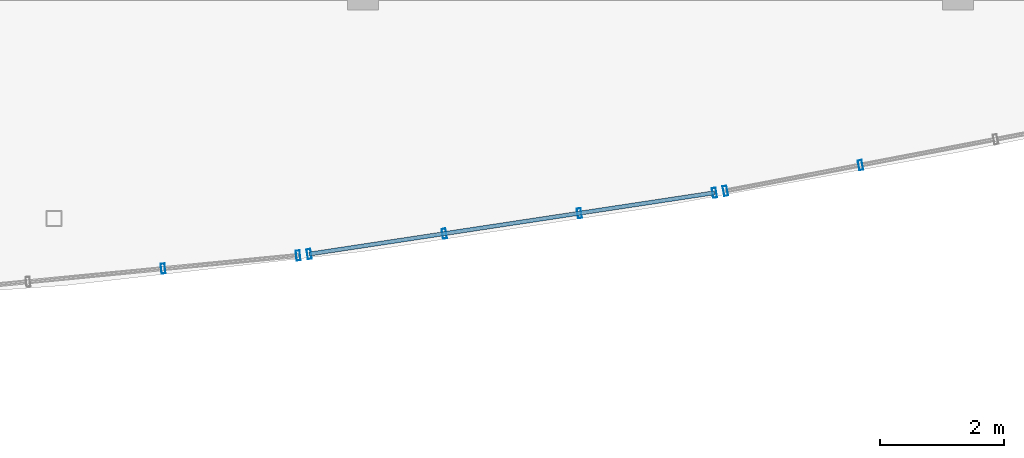
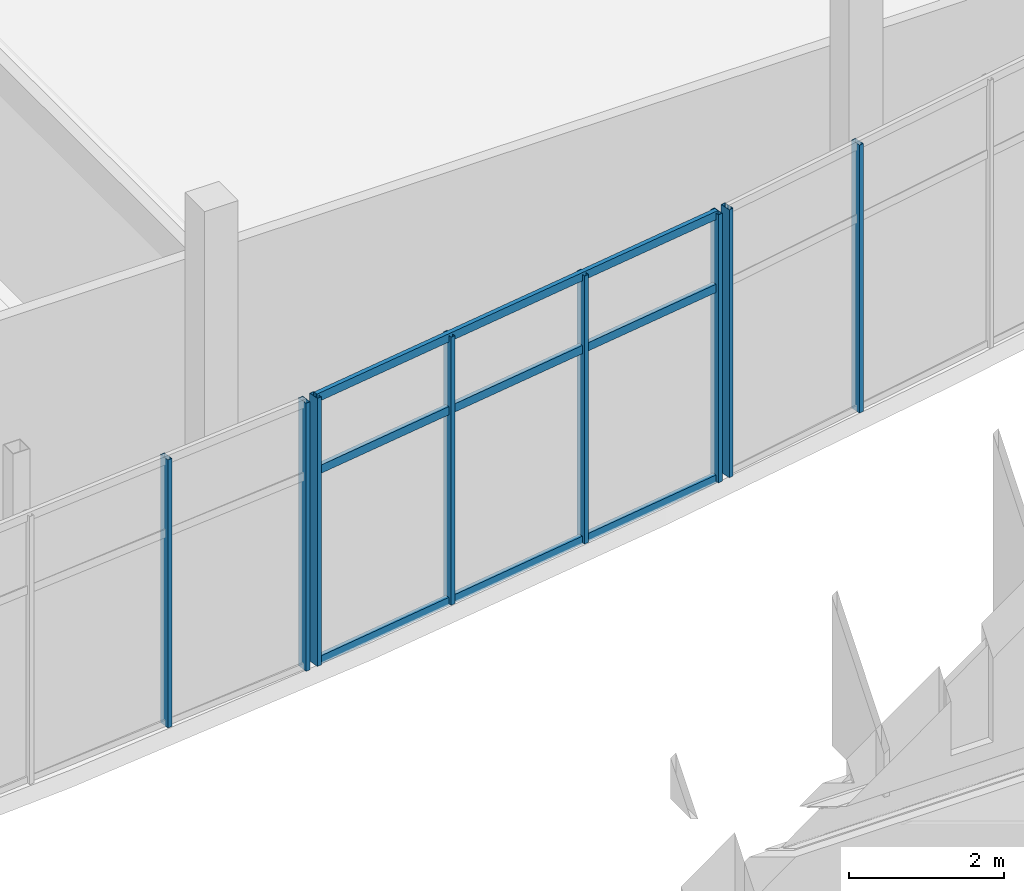
# One storey, part 47 of 114: 11 members, 3 elements without a shape of their own.
"""IFC4 building model written with IfcOpenShell, lengths in metres."""

from ifc_helpers import new_model, si_unit, direction, frame, origin, origin_2d, place, context, subcontext, project, spatial, hollow_rectangle, extrude, material, layer, layer_set, material_profile, profile_set, type_object, element, aggregate, save


model = new_model("IFC4")

# Units and contexts
model_context = context("Model", 3, precision=1e-05, world=origin(), true_north=direction((0.0, 1.0)))
body_context = subcontext(model_context, "Body", "Model", "MODEL_VIEW")
ifc_project = project(units=[si_unit("LENGTHUNIT", "METRE"), si_unit("AREAUNIT", "SQUARE_METRE"), si_unit("VOLUMEUNIT", "CUBIC_METRE"), si_unit("PLANEANGLEUNIT", "RADIAN"), si_unit("MASSUNIT", "GRAM", prefix="KILO")], contexts=[model_context])

# Site, building, storey
site_placement = place(None, origin())
site = spatial("IfcSite", under=ifc_project, at=site_placement, CompositionType="ELEMENT")
building_placement = place(site_placement, origin())
building = spatial("IfcBuilding", under=site, at=building_placement, Name="Chalmorin Arch Market", CompositionType="ELEMENT")
storey_placement = place(building_placement, frame((0.0, 0.0, 9.60009765625)))
storey = spatial("IfcBuildingStorey", under=building, at=storey_placement, Name="L02", CompositionType="ELEMENT", Elevation=9.60009765625)

# Curtain wall, members
ifc_material = material(Name="Aluminium 6063-T6", Category="aluminium")
ifc_layer_1 = layer(ifc_material, 0.159912109375)
ifc_layer_set_1 = layer_set([ifc_layer_1], Name="Aluminium 6063-T6")
curtain_wall_type_1 = type_object("IfcCurtainWallType", Name="CulinaryStudioCurtainWall-CW3-6570x4220", PredefinedType="NOTDEFINED", material=ifc_layer_set_1)
curtain_wall_1_placement = place(storey_placement, origin())
curtain_wall_1 = element("IfcCurtainWall", 1, at=curtain_wall_1_placement, inside=storey, type_object=curtain_wall_type_1, Name="CW-03-169", PredefinedType="NOTDEFINED")
ifc_material_profile_1 = material_profile(ifc_material, hollow_rectangle(XDim=0.06494140625, YDim=0.159912109375, WallThickness=0.00390625, at=origin_2d()), Name="ALU65X160X4")
ifc_profile_set_1 = profile_set([ifc_material_profile_1], Name="Aluminium 6063-T6")
member_type_1 = type_object("IfcMemberType", Name="CurtainWallMullion-65x160", PredefinedType="MULLION", material=ifc_profile_set_1)
member_1_placement = place(storey_placement, frame((92.77001953125, 67.578125, 0.0), z_axis=(0.0, 0.0, 1.0), x_axis=(0.994521895368, 0.104528463268, 0.0)))
member_1 = element("IfcMember", 2, at=member_1_placement, type_object=member_type_1, Name="ML-169-03", PredefinedType="MULLION", context=body_context, shape_type="SweptSolid", body=[
    extrude(hollow_rectangle(XDim=0.06494140625, YDim=0.159912109375, WallThickness=0.00390625, at=origin_2d()), origin(), (0.0, 0.0, 1.0), 4.219970703125),
])
member_2_placement = place(storey_placement, frame((94.950439453125, 67.790283203125, 0.0), z_axis=(0.0, 0.0, 1.0), x_axis=(0.994521895368, 0.104528463268, 0.0)))
member_2 = element("IfcMember", 3, at=member_2_placement, type_object=member_type_1, Name="ML-169-04", PredefinedType="MULLION", context=body_context, shape_type="SweptSolid", body=[
    extrude(hollow_rectangle(XDim=0.06494140625, YDim=0.159912109375, WallThickness=0.00390625, at=origin_2d()), origin(), (0.0, 0.0, 1.0), 4.219970703125),
])
aggregate(curtain_wall_1, [member_1, member_2])

ifc_layer_2 = layer(ifc_material, 0.159912109375)
ifc_layer_set_2 = layer_set([ifc_layer_2], Name="Aluminium 6063-T6")
curtain_wall_type_2 = type_object("IfcCurtainWallType", Name="CulinaryStudioCurtainWall-CW3-6620x4220", PredefinedType="NOTDEFINED", material=ifc_layer_set_2)
curtain_wall_2_placement = place(storey_placement, origin())
curtain_wall_2 = element("IfcCurtainWall", 4, at=curtain_wall_2_placement, inside=storey, type_object=curtain_wall_type_2, Name="CW-03-172", PredefinedType="NOTDEFINED")
member_3_placement = place(storey_placement, frame((95.12890625, 67.8125, 0.0), z_axis=(0.0, 0.0, 1.0), x_axis=(0.987688340595, 0.15643446504, 0.0)))
member_3 = element("IfcMember", 5, at=member_3_placement, type_object=member_type_1, Name="ML-172-01", PredefinedType="MULLION", context=body_context, shape_type="SweptSolid", body=[
    extrude(hollow_rectangle(XDim=0.06494140625, YDim=0.159912109375, WallThickness=0.00390625, at=origin_2d()), origin(), (0.0, 0.0, 1.0), 4.219970703125),
])
member_4_placement = place(storey_placement, frame((97.309814453125, 68.142578125, 0.0), z_axis=(0.0, 0.0, 1.0), x_axis=(0.987688340595, 0.15643446504, 0.0)))
member_4 = element("IfcMember", 6, at=member_4_placement, type_object=member_type_1, Name="ML-172-02", PredefinedType="MULLION", context=body_context, shape_type="SweptSolid", body=[
    extrude(hollow_rectangle(XDim=0.06494140625, YDim=0.159912109375, WallThickness=0.00390625, at=origin_2d()), origin(), (0.0, 0.0, 1.0), 4.219970703125),
])
member_5_placement = place(storey_placement, frame((99.490234375, 68.472412109375, 0.0), z_axis=(0.0, 0.0, 1.0), x_axis=(0.987688340595, 0.15643446504, 0.0)))
member_5 = element("IfcMember", 7, at=member_5_placement, type_object=member_type_1, Name="ML-172-03", PredefinedType="MULLION", context=body_context, shape_type="SweptSolid", body=[
    extrude(hollow_rectangle(XDim=0.06494140625, YDim=0.159912109375, WallThickness=0.00390625, at=origin_2d()), origin(), (0.0, 0.0, 1.0), 4.219970703125),
])
member_6_placement = place(storey_placement, frame((101.6708984375, 68.802490234375, 0.0), z_axis=(0.0, 0.0, 1.0), x_axis=(0.987688340595, 0.15643446504, 0.0)))
member_6 = element("IfcMember", 8, at=member_6_placement, type_object=member_type_1, Name="ML-172-04", PredefinedType="MULLION", context=body_context, shape_type="SweptSolid", body=[
    extrude(hollow_rectangle(XDim=0.06494140625, YDim=0.159912109375, WallThickness=0.00390625, at=origin_2d()), origin(), (0.0, 0.0, 1.0), 4.219970703125),
])

ifc_layer_3 = layer(ifc_material, 0.159912109375)
ifc_layer_set_3 = layer_set([ifc_layer_3], Name="Aluminium 6063-T6")
curtain_wall_type_3 = type_object("IfcCurtainWallType", Name="CulinaryStudioCurtainWall-CW3-6660x4220", PredefinedType="NOTDEFINED", material=ifc_layer_set_3)
curtain_wall_3_placement = place(storey_placement, origin())
curtain_wall_3 = element("IfcCurtainWall", 9, at=curtain_wall_3_placement, inside=storey, type_object=curtain_wall_type_3, Name="CW-03-175", PredefinedType="NOTDEFINED")
member_7_placement = place(storey_placement, frame((101.848388671875, 68.8330078125, 0.0), z_axis=(0.0, 0.0, 1.0), x_axis=(0.981627183448, 0.190808995377, 0.0)))
member_7 = element("IfcMember", 10, at=member_7_placement, type_object=member_type_1, Name="ML-175-01", PredefinedType="MULLION", context=body_context, shape_type="SweptSolid", body=[
    extrude(hollow_rectangle(XDim=0.06494140625, YDim=0.159912109375, WallThickness=0.00390625, at=origin_2d()), origin(), (0.0, 0.0, 1.0), 4.219970703125),
])
member_8_placement = place(storey_placement, frame((104.029541015625, 69.249267578125, 0.0), z_axis=(0.0, 0.0, 1.0), x_axis=(0.981627183448, 0.190808995377, 0.0)))
member_8 = element("IfcMember", 11, at=member_8_placement, type_object=member_type_1, Name="ML-175-02", PredefinedType="MULLION", context=body_context, shape_type="SweptSolid", body=[
    extrude(hollow_rectangle(XDim=0.06494140625, YDim=0.159912109375, WallThickness=0.00390625, at=origin_2d()), origin(), (0.0, 0.0, 1.0), 4.219970703125),
])
aggregate(curtain_wall_3, [member_7, member_8])

# Member
ifc_material_profile_2 = material_profile(ifc_material, hollow_rectangle(XDim=0.06494140625, YDim=0.1298828125, WallThickness=0.00390625, at=origin_2d()), Name="ALU65X130X4")
ifc_profile_set_2 = profile_set([ifc_material_profile_2], Name="Aluminium 6063-T6")
member_type_2 = type_object("IfcMemberType", Name="CurtainWallTransom-65x130", PredefinedType="USERDEFINED", material=ifc_profile_set_2)
member_9_placement = place(storey_placement, frame((95.12890625, 67.8125, 0.034912109375), z_axis=(0.988742814157, 0.149625022817, 0.0), x_axis=(-0.149625022817, 0.988742814157, 0.0)))
member_9 = element("IfcMember", 12, at=member_9_placement, type_object=member_type_2, Name="TR-172-01", ObjectType="TRANSOM", PredefinedType="USERDEFINED", context=body_context, shape_type="SweptSolid", body=[
    extrude(hollow_rectangle(XDim=0.06494140625, YDim=0.1298828125, WallThickness=0.00390625, at=origin_2d()), origin(), (0.0, 0.0, 1.0), 6.616455078125),
])

member_10_placement = place(storey_placement, frame((95.12890625, 67.8125, 3.038330078125), z_axis=(0.988742814157, 0.149625022817, 0.0), x_axis=(-0.149625022817, 0.988742814157, 0.0)))
member_10 = element("IfcMember", 13, at=member_10_placement, type_object=member_type_2, Name="TR-172-02", ObjectType="TRANSOM", PredefinedType="USERDEFINED", context=body_context, shape_type="SweptSolid", body=[
    extrude(hollow_rectangle(XDim=0.06494140625, YDim=0.1298828125, WallThickness=0.00390625, at=origin_2d()), origin(), (0.0, 0.0, 1.0), 6.616455078125),
])

member_11_placement = place(storey_placement, frame((95.12890625, 67.8125, 4.184814453125), z_axis=(0.988742814157, 0.149625022817, 0.0), x_axis=(-0.149625022817, 0.988742814157, 0.0)))
member_11 = element("IfcMember", 14, at=member_11_placement, type_object=member_type_2, Name="TR-172-03", ObjectType="TRANSOM", PredefinedType="USERDEFINED", context=body_context, shape_type="SweptSolid", body=[
    extrude(hollow_rectangle(XDim=0.06494140625, YDim=0.1298828125, WallThickness=0.00390625, at=origin_2d()), origin(), (0.0, 0.0, 1.0), 6.616455078125),
])

aggregate(curtain_wall_2, [member_3, member_4, member_5, member_6, member_9, member_10, member_11])

save(model, "model.ifc")
